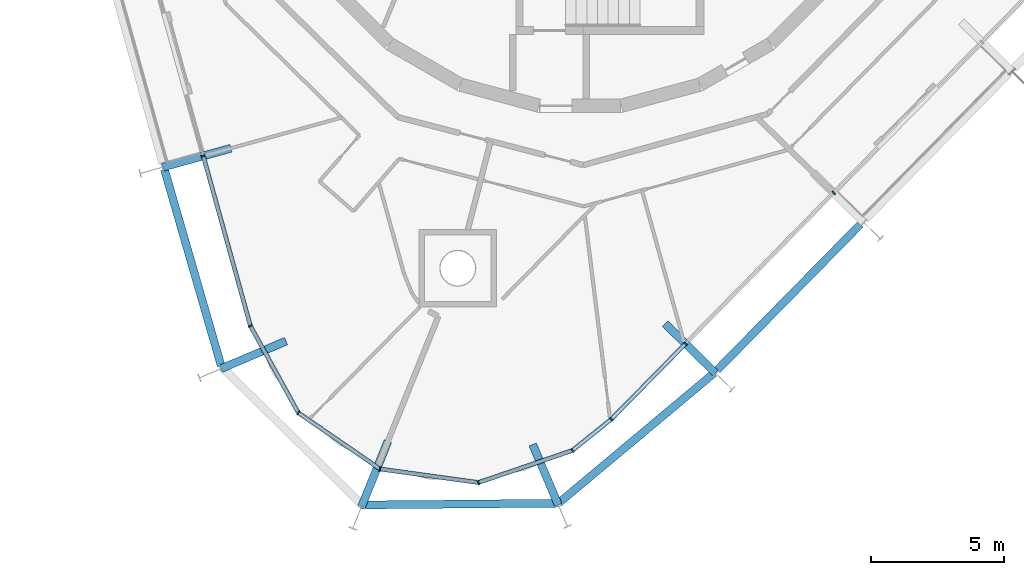
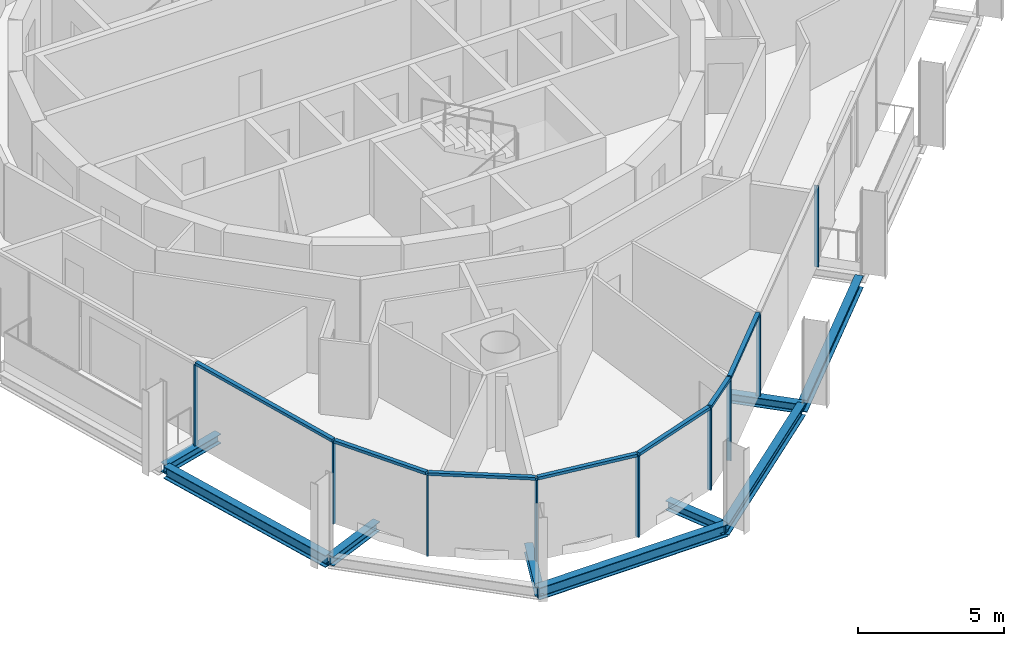
# One storey, part 2 of 15: 16 members, 9 beams, 2 elements without a shape of their own.
"""IFC4 building model written with IfcOpenShell, lengths in metres."""

import ifcopenshell
import ifcopenshell.guid

model = None  # the IFC model being written
_history = None  # IfcOwnerHistory: only IFC2X3 demands one
_inside = {}  # id of a spatial element -> (the spatial element, [elements in it])
_under = {}  # id of a project, library or spatial element -> (it, [spatial elements below it])
_declared = {}  # id of a project -> (the project, [libraries it declares])
_typed = {}  # id of a type object -> (the type object, [elements of that type])
_made_of = {}  # id of a material, layer set ... -> (it, [elements and type objects made of it])


def new_model(schema):
    """Start an empty IFC model of exactly this schema.

    Asked for "IFC4X3", IfcOpenShell would pick the latest addendum, in which some entities
    have other attributes; the version numbers below select the first issue.
    IFC2X3 requires an IfcOwnerHistory on every rooted entity: one is made here for all.
    """
    global model, _history
    if schema == "IFC4X3":
        model = ifcopenshell.file(schema_version=(4, 3, 0, 0))
    else:
        model = ifcopenshell.file(schema=schema)
    _inside.clear()
    _under.clear()
    _declared.clear()
    _typed.clear()
    _made_of.clear()
    _history = None
    if model.schema == "IFC2X3":
        org = make("IfcOrganization", Name="unknown")
        user = make(
            "IfcPersonAndOrganization",
            ThePerson=make("IfcPerson", FamilyName="unknown"),
            TheOrganization=org,
        )
        app = make(
            "IfcApplication",
            ApplicationDeveloper=org,
            Version="unknown",
            ApplicationFullName="unknown",
            ApplicationIdentifier="unknown",
        )
        _history = make(
            "IfcOwnerHistory",
            OwningUser=user,
            OwningApplication=app,
            ChangeAction="ADDED",
            CreationDate=0,
        )
    return model


def make(cls, **values):
    """One entity of the class cls with the attributes given. An attribute that is None is left unset."""
    return model.create_entity(
        cls, **{name: value for name, value in values.items() if value is not None}
    )


def rooted(cls, **values):
    """An entity with a GlobalId (a new one), such as an element, a storey or a relation."""
    return make(cls, GlobalId=ifcopenshell.guid.new(), OwnerHistory=_history, **values)


def si_unit(unit_type, name, prefix=None):
    """IfcSIUnit, for example si_unit("LENGTHUNIT", "METRE", prefix="MILLI")."""
    return make("IfcSIUnit", UnitType=unit_type, Prefix=prefix, Name=name)


def assignment(units):
    """IfcUnitAssignment: the units of a project."""
    return None if units is None else make("IfcUnitAssignment", Units=units)


def point(xyz):
    """IfcCartesianPoint."""
    return None if xyz is None else make("IfcCartesianPoint", Coordinates=xyz)


def direction(xyz):
    """IfcDirection."""
    return None if xyz is None else make("IfcDirection", DirectionRatios=xyz)


def frame(location, z_axis=None, x_axis=None):
    """IfcAxis2Placement3D, a coordinate frame: its origin and axes. An axis left out is left unset."""
    return make(
        "IfcAxis2Placement3D",
        Location=point(location),
        Axis=direction(z_axis),
        RefDirection=direction(x_axis),
    )


def frame_2d(location, x_axis=None):
    """IfcAxis2Placement2D, a coordinate frame in the plane: its origin and x axis."""
    return make(
        "IfcAxis2Placement2D", Location=point(location), RefDirection=direction(x_axis)
    )


def origin():
    """The frame at (0, 0, 0) with its axes left unset."""
    return frame((0.0, 0.0, 0.0))


def origin_2d():
    """The frame at (0, 0) in the plane with its x axis left unset."""
    return frame_2d((0.0, 0.0))


def place(relative_to, where):
    """IfcLocalPlacement: puts the frame where relative to a parent placement (None: the world)."""
    return make(
        "IfcLocalPlacement", PlacementRelTo=relative_to, RelativePlacement=where
    )


def context(
    kind, dimensions, precision=None, world=None, true_north=None, identifier=None
):
    """IfcGeometricRepresentationContext, for example the 3D "Model" context."""
    return make(
        "IfcGeometricRepresentationContext",
        ContextIdentifier=identifier,
        ContextType=kind,
        CoordinateSpaceDimension=dimensions,
        Precision=precision,
        WorldCoordinateSystem=world,
        TrueNorth=true_north,
    )


def subcontext(parent, identifier, kind, view, scale=None):
    """IfcGeometricRepresentationSubContext, for example "Body" below "Model"."""
    return make(
        "IfcGeometricRepresentationSubContext",
        ContextIdentifier=identifier,
        ContextType=kind,
        ParentContext=parent,
        TargetScale=scale,
        TargetView=view,
    )


def project(units=None, contexts=None):
    """IfcProject with its units and contexts."""
    return rooted(
        "IfcProject",
        Name="project",
        RepresentationContexts=contexts,
        UnitsInContext=assignment(units),
    )


def spatial(cls, under=None, at=None, **own):
    """A site, building, storey or space (cls), placed at a placement, below another one or the project."""
    s = rooted(cls, ObjectPlacement=at, **own)
    if under is not None:
        _under.setdefault(under.id(), (under, []))[1].append(s)
    return s


def profile(cls, at=None, kind="AREA", **sizes):
    """A parametric profile (cls). Its sizes go by their IFC names, for example OverallWidth=200.0."""
    return make(cls, ProfileType=kind, Position=at, **sizes)


def rectangle(**sizes):
    """IfcRectangleProfileDef."""
    return profile("IfcRectangleProfileDef", **sizes)


def i_section(**sizes):
    """IfcIShapeProfileDef."""
    return profile("IfcIShapeProfileDef", **sizes)


def extrude(swept, where, along, depth):
    """IfcExtrudedAreaSolid: the profile swept, set in the frame where, extruded along a direction by depth."""
    return make(
        "IfcExtrudedAreaSolid",
        SweptArea=swept,
        Position=where,
        ExtrudedDirection=direction(along),
        Depth=depth,
    )


def shape(context_of_items, identifier, shape_type, items):
    """IfcShapeRepresentation: the items that make up one representation, for example the "Body"."""
    return make(
        "IfcShapeRepresentation",
        ContextOfItems=context_of_items,
        RepresentationIdentifier=identifier,
        RepresentationType=shape_type,
        Items=items,
    )


def material(Name=None, Category=None):
    """IfcMaterial."""
    return make("IfcMaterial", Name=Name, Category=Category)


def layer(
    of_material, thickness, ventilated=None, Name=None, Category=None, Priority=None
):
    """IfcMaterialLayer: one layer of a wall or slab, of a material (None: an air gap)."""
    return make(
        "IfcMaterialLayer",
        Material=of_material,
        LayerThickness=thickness,
        IsVentilated=ventilated,
        Name=Name,
        Category=Category,
        Priority=Priority,
    )


def layer_set(layers, Name=None):
    """IfcMaterialLayerSet."""
    return make("IfcMaterialLayerSet", MaterialLayers=layers, LayerSetName=Name)


def material_profile(
    of_material, cross_section, Name=None, Category=None, Priority=None
):
    """IfcMaterialProfile: a cross section and its material."""
    return make(
        "IfcMaterialProfile",
        Name=Name,
        Material=of_material,
        Profile=cross_section,
        Priority=Priority,
        Category=Category,
    )


def profile_set(profiles, Name=None, composite=None):
    """IfcMaterialProfileSet."""
    return make(
        "IfcMaterialProfileSet",
        Name=Name,
        MaterialProfiles=profiles,
        CompositeProfile=composite,
    )


def made_of(thing, what):
    """Note that an element or type object is made of a material, layer set ...; save() writes the relation."""
    if what is not None:
        _made_of.setdefault(what.id(), (what, []))[1].append(thing)
    return thing


def type_object(cls, material=None, **own):
    """A type object (cls), such as IfcWallType, which elements share."""
    return made_of(rooted(cls, **own), material)


def element(
    cls,
    number,
    at=None,
    inside=None,
    cuts=None,
    type_object=None,
    material=None,
    context=None,
    identifier="Body",
    shape_type=None,
    held_by="IfcProductDefinitionShape",
    body=None,
    shapes=None,
    **own,
):
    """One element of the class cls, such as IfcWall. Its Tag is "e" and its number.

    at: its placement. inside: the storey or other place that contains it. cuts: it is an
    opening in that element (IfcRelVoidsElement). A single representation is given by context,
    identifier, shape_type and body (its items); several are given by shapes. held_by: the class
    of the entity that holds the representations. save() writes the other relations.
    """
    e = rooted(cls, Tag="e%d" % number, ObjectPlacement=at, **own)
    if body is not None:
        shapes = [shape(context, identifier, shape_type, body)]
    if shapes is not None:
        e.Representation = make(held_by, Representations=shapes)
    if inside is not None:
        _inside.setdefault(inside.id(), (inside, []))[1].append(e)
    if cuts is not None:
        rooted(
            "IfcRelVoidsElement", RelatingBuildingElement=cuts, RelatedOpeningElement=e
        )
    if type_object is not None:
        _typed.setdefault(type_object.id(), (type_object, []))[1].append(e)
    return made_of(e, material)


def aggregate(whole, parts):
    """IfcRelAggregates: a whole, such as a stair, and the parts it consists of."""
    return rooted("IfcRelAggregates", RelatingObject=whole, RelatedObjects=parts)


def save(model, path):
    """Write the relations noted so far, then the file.

    IfcRelAggregates (storeys below a building ...), IfcRelContainedInSpatialStructure (elements
    in a storey), IfcRelDefinesByType, IfcRelAssociatesMaterial and IfcRelDeclares: one each for
    every whole, place, type object, material and project.
    """
    for whole, parts in _under.values():
        aggregate(whole, parts)
    for where, things in _inside.values():
        rooted(
            "IfcRelContainedInSpatialStructure",
            RelatedElements=things,
            RelatingStructure=where,
        )
    for kind, things in _typed.values():
        rooted("IfcRelDefinesByType", RelatedObjects=things, RelatingType=kind)
    for what, things in _made_of.values():
        rooted("IfcRelAssociatesMaterial", RelatedObjects=things, RelatingMaterial=what)
    for by, libraries in _declared.values():
        rooted("IfcRelDeclares", RelatingContext=by, RelatedDefinitions=libraries)
    model.write(path)


model = new_model("IFC4")

# Units and contexts
model_context = context("Model", 3, precision=1e-05, world=origin(), true_north=direction((0.0, 1.0)))
body_context = subcontext(model_context, "Body", "Model", "MODEL_VIEW")
ifc_project = project(units=[si_unit("LENGTHUNIT", "METRE"), si_unit("AREAUNIT", "SQUARE_METRE"), si_unit("VOLUMEUNIT", "CUBIC_METRE"), si_unit("PLANEANGLEUNIT", "RADIAN"), si_unit("MASSUNIT", "GRAM", prefix="KILO")], contexts=[model_context])

# Site, building, storey
site_placement = place(None, origin())
site = spatial("IfcSite", under=ifc_project, at=site_placement, CompositionType="ELEMENT")
building_placement = place(site_placement, origin())
building = spatial("IfcBuilding", under=site, at=building_placement, Name="Spindle Arch Residences", CompositionType="ELEMENT")
storey_placement = place(building_placement, frame((0.0, 0.0, 308.699951171875)))
storey = spatial("IfcBuildingStorey", under=building, at=storey_placement, Name="L79", CompositionType="ELEMENT", Elevation=308.699951171875)

# Curtain wall, members
ifc_material_1 = material(Name="Aluminium bronze unitised frame with tinted glass", Category="aluminium")
ifc_layer_1 = layer(ifc_material_1, 0.159912109375)
ifc_layer_set_1 = layer_set([ifc_layer_1], Name="CW-D corner wall on the fillet arcs")
curtain_wall_type_1 = type_object("IfcCurtainWallType", Name="CW-D corner wall on the fillet arcs", PredefinedType="NOTDEFINED", material=ifc_layer_set_1)
curtain_wall_1_placement = place(storey_placement, origin())
curtain_wall_1 = element("IfcCurtainWall", 1, at=curtain_wall_1_placement, inside=storey, type_object=curtain_wall_type_1, Name="CW-D L79 run 5", PredefinedType="NOTDEFINED")
ifc_material_2 = material(Name="Aluminium bronze anodised mullion", Category="aluminium")
ifc_material_profile_1 = material_profile(ifc_material_2, rectangle(XDim=0.159912109375, YDim=0.06005859375, at=origin_2d()), Name="MU 60x160")
ifc_profile_set_1 = profile_set([ifc_material_profile_1], Name="Aluminium bronze anodised mullion")
member_type_1 = type_object("IfcMemberType", Name="Bronze mullion 60x160", PredefinedType="MULLION", material=ifc_profile_set_1)
member_1_placement = place(storey_placement, frame((-14.1435546875, -13.529296875, -0.3798828125), z_axis=(0.0, 0.0, 1.0), x_axis=(0.963630453209, 0.267238376078, 0.0)))
member_1 = element("IfcMember", 2, at=member_1_placement, type_object=member_type_1, Name="CW-D mullion 00", PredefinedType="MULLION", context=body_context, shape_type="SweptSolid", body=[
    extrude(rectangle(XDim=0.159912109375, YDim=0.06005859375, at=origin_2d()), origin(), (0.0, 0.0, 1.0), 3.3798828125),
])
member_2_placement = place(storey_placement, frame((-12.37548828125, -19.90478515625, -0.3798828125), z_axis=(0.0, 0.0, 1.0), x_axis=(0.876026260142, 0.482263404731, 0.0)))
member_2 = element("IfcMember", 3, at=member_2_placement, type_object=member_type_1, Name="CW-D mullion 01", PredefinedType="MULLION", context=body_context, shape_type="SweptSolid", body=[
    extrude(rectangle(XDim=0.159912109375, YDim=0.06005859375, at=origin_2d()), origin(), (0.0, 0.0, 1.0), 3.3798828125),
])
member_3_placement = place(storey_placement, frame((-10.578125, -23.16943359375, -0.3798828125), z_axis=(0.0, 0.0, 1.0), x_axis=(0.566406236997, 0.824126188573, 0.0)))
member_3 = element("IfcMember", 4, at=member_3_placement, type_object=member_type_1, Name="CW-D mullion 02", PredefinedType="MULLION", context=body_context, shape_type="SweptSolid", body=[
    extrude(rectangle(XDim=0.159912109375, YDim=0.06005859375, at=origin_2d()), origin(), (0.0, 0.0, 1.0), 3.3798828125),
])
member_4_placement = place(storey_placement, frame((-7.5068359375, -25.2802734375, -0.3798828125), z_axis=(0.0, 0.0, 1.0), x_axis=(0.136291936259, 0.99066871764, 0.0)))
member_4 = element("IfcMember", 5, at=member_4_placement, type_object=member_type_1, Name="CW-D mullion 03", PredefinedType="MULLION", context=body_context, shape_type="SweptSolid", body=[
    extrude(rectangle(XDim=0.159912109375, YDim=0.06005859375, at=origin_2d()), origin(), (0.0, 0.0, 1.0), 3.3798828125),
])
member_5_placement = place(storey_placement, frame((-3.81494140625, -25.788330078125, -0.3798828125), z_axis=(0.0, 0.0, 1.0), x_axis=(-0.322816381002, 0.946461612616, 0.0)))
member_5 = element("IfcMember", 6, at=member_5_placement, type_object=member_type_1, Name="CW-D mullion 04", PredefinedType="MULLION", context=body_context, shape_type="SweptSolid", body=[
    extrude(rectangle(XDim=0.159912109375, YDim=0.06005859375, at=origin_2d()), origin(), (0.0, 0.0, 1.0), 3.3798828125),
])
member_6_placement = place(storey_placement, frame((-0.28759765625, -24.585205078125, -0.3798828125), z_axis=(0.0, 0.0, 1.0), x_axis=(-0.627057102153, 0.778973292636, 0.0)))
member_6 = element("IfcMember", 7, at=member_6_placement, type_object=member_type_1, Name="CW-D mullion 05", PredefinedType="MULLION", context=body_context, shape_type="SweptSolid", body=[
    extrude(rectangle(XDim=0.159912109375, YDim=0.06005859375, at=origin_2d()), origin(), (0.0, 0.0, 1.0), 3.3798828125),
])
member_7_placement = place(storey_placement, frame((1.173828125, -23.40869140625, -0.3798828125), z_axis=(0.0, 0.0, 1.0), x_axis=(-0.713250449154, 0.7009092643, 0.0)))
member_7 = element("IfcMember", 8, at=member_7_placement, type_object=member_type_1, Name="CW-D mullion 06", PredefinedType="MULLION", context=body_context, shape_type="SweptSolid", body=[
    extrude(rectangle(XDim=0.159912109375, YDim=0.06005859375, at=origin_2d()), origin(), (0.0, 0.0, 1.0), 3.3798828125),
])

ifc_material_3 = material(Name="Aluminium bronze unitised frame with tinted glass", Category="aluminium")
ifc_layer_2 = layer(ifc_material_3, 0.159912109375)
ifc_layer_set_2 = layer_set([ifc_layer_2], Name="CW-C typical residential unitised wall")
curtain_wall_type_2 = type_object("IfcCurtainWallType", Name="CW-C typical residential unitised wall", PredefinedType="NOTDEFINED", material=ifc_layer_set_2)
curtain_wall_2_placement = place(storey_placement, origin())
curtain_wall_2 = element("IfcCurtainWall", 9, at=curtain_wall_2_placement, inside=storey, type_object=curtain_wall_type_2, Name="CW-C L79 run 6", PredefinedType="NOTDEFINED")
member_8_placement = place(storey_placement, frame((3.95703125, -20.576416015625, -0.3798828125), z_axis=(0.0, 0.0, 1.0), x_axis=(-0.713250449154, 0.7009092643, 0.0)))
member_8 = element("IfcMember", 10, at=member_8_placement, type_object=member_type_1, Name="CW-C mullion 18", PredefinedType="MULLION", context=body_context, shape_type="SweptSolid", body=[
    extrude(rectangle(XDim=0.159912109375, YDim=0.06005859375, at=origin_2d()), origin(), (0.0, 0.0, 1.0), 3.3798828125),
])
member_9_placement = place(storey_placement, frame((9.518798828125, -14.916748046875, -0.3798828125), z_axis=(0.0, 0.0, 1.0), x_axis=(-0.713250449154, 0.7009092643, 0.0)))
member_9 = element("IfcMember", 11, at=member_9_placement, type_object=member_type_1, Name="CW-C mullion 19", PredefinedType="MULLION", context=body_context, shape_type="SweptSolid", body=[
    extrude(rectangle(XDim=0.159912109375, YDim=0.06005859375, at=origin_2d()), origin(), (0.0, 0.0, 1.0), 3.3798828125),
])
aggregate(curtain_wall_2, [member_8, member_9])

# Member
ifc_material_4 = material(Name="Aluminium bronze anodised transom", Category="aluminium")
ifc_material_profile_2 = material_profile(ifc_material_4, rectangle(XDim=0.159912109375, YDim=0.1201171875, at=origin_2d()), Name="TR 120x160")
ifc_profile_set_2 = profile_set([ifc_material_profile_2], Name="Aluminium bronze anodised transom")
member_type_2 = type_object("IfcMemberType", Name="Bronze transom 120x160", PredefinedType="USERDEFINED", material=ifc_profile_set_2)
member_10_placement = place(storey_placement, frame((-14.135498046875, -13.558349609375, 3.06005859375), z_axis=(0.267236650425, -0.963630931773, 0.0), x_axis=(0.963630931773, 0.267236650425, 0.0)))
member_10 = element("IfcMember", 12, at=member_10_placement, type_object=member_type_2, Name="CW-D transom 00", ObjectType="TRANSOM", PredefinedType="USERDEFINED", context=body_context, shape_type="SweptSolid", body=[
    extrude(rectangle(XDim=0.159912109375, YDim=0.1201171875, at=origin_2d()), origin(), (0.0, 0.0, 1.0), 6.555908203125),
])

member_11_placement = place(storey_placement, frame((-12.36083984375, -19.930908203125, 3.06005859375), z_axis=(0.482258656, -0.87602887436, 0.0), x_axis=(0.87602887436, 0.482258656, 0.0)))
member_11 = element("IfcMember", 13, at=member_11_placement, type_object=member_type_2, Name="CW-D transom 01", ObjectType="TRANSOM", PredefinedType="USERDEFINED", context=body_context, shape_type="SweptSolid", body=[
    extrude(rectangle(XDim=0.159912109375, YDim=0.1201171875, at=origin_2d()), origin(), (0.0, 0.0, 1.0), 3.666748046875),
])

member_12_placement = place(storey_placement, frame((-10.553466796875, -23.1865234375, 3.06005859375), z_axis=(0.824162355163, -0.566353610682, 0.0), x_axis=(0.566353610682, 0.824162355163, 0.0)))
member_12 = element("IfcMember", 14, at=member_12_placement, type_object=member_type_2, Name="CW-D transom 02", ObjectType="TRANSOM", PredefinedType="USERDEFINED", context=body_context, shape_type="SweptSolid", body=[
    extrude(rectangle(XDim=0.159912109375, YDim=0.1201171875, at=origin_2d()), origin(), (0.0, 0.0, 1.0), 3.666748046875),
])

member_13_placement = place(storey_placement, frame((-7.47705078125, -25.284423828125, 3.06005859375), z_axis=(0.9906686165, -0.136292671414, 0.0), x_axis=(0.136292671414, 0.9906686165, 0.0)))
member_13 = element("IfcMember", 15, at=member_13_placement, type_object=member_type_2, Name="CW-D transom 03", ObjectType="TRANSOM", PredefinedType="USERDEFINED", context=body_context, shape_type="SweptSolid", body=[
    extrude(rectangle(XDim=0.159912109375, YDim=0.1201171875, at=origin_2d()), origin(), (0.0, 0.0, 1.0), 3.666748046875),
])

member_14_placement = place(storey_placement, frame((-3.786376953125, -25.778564453125, 3.06005859375), z_axis=(0.946449629286, 0.322851512656, 0.0), x_axis=(-0.322851512656, 0.946449629286, 0.0)))
member_14 = element("IfcMember", 16, at=member_14_placement, type_object=member_type_2, Name="CW-D transom 04", ObjectType="TRANSOM", PredefinedType="USERDEFINED", context=body_context, shape_type="SweptSolid", body=[
    extrude(rectangle(XDim=0.159912109375, YDim=0.1201171875, at=origin_2d()), origin(), (0.0, 0.0, 1.0), 3.666748046875),
])

member_15_placement = place(storey_placement, frame((-0.26416015625, -24.56640625, 3.06005859375), z_axis=(0.778910776855, 0.627134755614, 0.0), x_axis=(-0.627134755614, 0.778910776855, 0.0)))
member_15 = element("IfcMember", 17, at=member_15_placement, type_object=member_type_2, Name="CW-D transom 05", ObjectType="TRANSOM", PredefinedType="USERDEFINED", context=body_context, shape_type="SweptSolid", body=[
    extrude(rectangle(XDim=0.159912109375, YDim=0.1201171875, at=origin_2d()), origin(), (0.0, 0.0, 1.0), 1.816162109375),
])

member_16_placement = place(storey_placement, frame((1.19482421875, -23.387451171875, 3.06005859375), z_axis=(0.70089977121, 0.713259777863, 0.0), x_axis=(-0.713259777863, 0.70089977121, 0.0)))
member_16 = element("IfcMember", 18, at=member_16_placement, type_object=member_type_2, Name="CW-D transom 06", ObjectType="TRANSOM", PredefinedType="USERDEFINED", context=body_context, shape_type="SweptSolid", body=[
    extrude(rectangle(XDim=0.159912109375, YDim=0.1201171875, at=origin_2d()), origin(), (0.0, 0.0, 1.0), 3.910888671875),
])

aggregate(curtain_wall_1, [member_1, member_10, member_2, member_11, member_3, member_12, member_4, member_13, member_5, member_14, member_6, member_15, member_7, member_16])

# Beams
ifc_material_5 = material(Name="Steel S460ML, intumescent coating R 120", Category="steel")
ifc_material_profile_3 = material_profile(ifc_material_5, i_section(OverallWidth=0.300048828125, OverallDepth=0.5, WebThickness=0.014404296875, FlangeThickness=0.028076171875, FilletRadius=0.027099609375, at=origin_2d()), Name="HEB 500")
ifc_profile_set_3 = profile_set([ifc_material_profile_3], Name="Steel S460ML, intumescent coating R 120")
beam_type_1 = type_object("IfcBeamType", Name="Exoskeleton edge beam HEB 500", PredefinedType="BEAM", material=ifc_profile_set_3)
beam_1_placement = place(storey_placement, frame((-15.6005859375, -14.035888671875, -0.6298828125), z_axis=(0.277657791247, -0.960680046092, 0.0), x_axis=(0.960680046092, 0.277657791247, 0.0)))
element("IfcBeam", 19, at=beam_1_placement, inside=storey, type_object=beam_type_1, Name="Exoskeleton edge beam 15", PredefinedType="BEAM", context=body_context, shape_type="SweptSolid", body=[
    extrude(i_section(OverallWidth=0.300048828125, OverallDepth=0.5, WebThickness=0.014404296875, FlangeThickness=0.028076171875, FilletRadius=0.027099609375, at=origin_2d()), origin(), (0.0, 0.0, 1.0), 7.671875),
])
beam_2_placement = place(storey_placement, frame((-8.247314453125, -26.628662109375, -0.6298828125), z_axis=(0.999961377867, 0.00878878686, 0.0), x_axis=(-0.00878878686, 0.999961377867, 0.0)))
element("IfcBeam", 20, at=beam_2_placement, inside=storey, type_object=beam_type_1, Name="Exoskeleton edge beam 17", PredefinedType="BEAM", context=body_context, shape_type="SweptSolid", body=[
    extrude(i_section(OverallWidth=0.300048828125, OverallDepth=0.5, WebThickness=0.014404296875, FlangeThickness=0.028076171875, FilletRadius=0.027099609375, at=origin_2d()), origin(), (0.0, 0.0, 1.0), 7.472412109375),
])
beam_3_placement = place(storey_placement, frame((-0.811279296875, -26.5615234375, -0.6298828125), z_axis=(0.767144884688, 0.641473870003, 0.0), x_axis=(-0.641473870003, 0.767144884688, 0.0)))
element("IfcBeam", 21, at=beam_3_placement, inside=storey, type_object=beam_type_1, Name="Exoskeleton edge beam 18", PredefinedType="BEAM", context=body_context, shape_type="SweptSolid", body=[
    extrude(i_section(OverallWidth=0.300048828125, OverallDepth=0.5, WebThickness=0.014404296875, FlangeThickness=0.028076171875, FilletRadius=0.027099609375, at=origin_2d()), origin(), (0.0, 0.0, 1.0), 7.611572265625),
])
beam_4_placement = place(storey_placement, frame((5.146484375, -21.56298828125, -0.6298828125), z_axis=(0.700924831043, 0.713235151425, 0.0), x_axis=(-0.713235151425, 0.700924831043, 0.0)))
element("IfcBeam", 22, at=beam_4_placement, inside=storey, type_object=beam_type_1, Name="Exoskeleton edge beam 19", PredefinedType="BEAM", context=body_context, shape_type="SweptSolid", body=[
    extrude(i_section(OverallWidth=0.300048828125, OverallDepth=0.5, WebThickness=0.014404296875, FlangeThickness=0.028076171875, FilletRadius=0.027099609375, at=origin_2d()), origin(), (0.0, 0.0, 1.0), 7.675048828125),
])
ifc_material_6 = material(Name="Steel S460ML, intumescent coating R 120", Category="steel")
ifc_material_profile_4 = material_profile(ifc_material_6, i_section(OverallWidth=0.300048828125, OverallDepth=0.389892578125, WebThickness=0.010986328125, FlangeThickness=0.01904296875, FilletRadius=0.027099609375, at=origin_2d()), Name="HEA 400")
ifc_profile_set_4 = profile_set([ifc_material_profile_4], Name="Steel S460ML, intumescent coating R 120")
beam_type_2 = type_object("IfcBeamType", Name="Floor outrigger HEA 400", PredefinedType="BEAM", material=ifc_profile_set_4)
beam_5_placement = place(storey_placement, frame((-15.656494140625, -13.948974609375, -0.574951171875), z_axis=(0.963626057771, 0.267254225009, 0.0), x_axis=(-0.267254225009, 0.963626057771, 0.0)))
element("IfcBeam", 23, at=beam_5_placement, inside=storey, type_object=beam_type_2, Name="Floor outrigger 15", PredefinedType="BEAM", context=body_context, shape_type="SweptSolid", body=[
    extrude(i_section(OverallWidth=0.300048828125, OverallDepth=0.389892578125, WebThickness=0.010986328125, FlangeThickness=0.01904296875, FilletRadius=0.027099609375, at=origin_2d()), origin(), (0.0, 0.0, 1.0), 2.650146484375),
])
for number, where, z_axis, x_axis, name in (
    (24, (-13.47314453125, -21.51318359375, -0.574951171875), (0.920615907856, 0.390469397267, 0.0), (-0.390469397267, 0.920615907856, 0.0), "Floor outrigger 16"),
    (25, (-8.20458984375, -26.692626953125, -0.574951171875), (0.374597094323, 0.927187692393, 0.0), (-0.927187692393, 0.374597094323, 0.0), "Floor outrigger 17"),
):
    element("IfcBeam", number, at=place(storey_placement, frame(where, z_axis=z_axis, x_axis=x_axis)), inside=storey, type_object=beam_type_2, Name=name, PredefinedType="BEAM", context=body_context, shape_type="SweptSolid", body=[
        extrude(i_section(OverallWidth=0.300048828125, OverallDepth=0.389892578125, WebThickness=0.010986328125, FlangeThickness=0.01904296875, FilletRadius=0.027099609375, at=origin_2d()), origin(), (0.0, 0.0, 1.0), 2.64990234375),
    ])
beam_6_placement = place(storey_placement, frame((-0.81689453125, -26.62744140625, -0.574951171875), z_axis=(-0.39089545077, 0.920435085472, 0.0), x_axis=(-0.920435085472, -0.39089545077, 0.0)))
element("IfcBeam", 26, at=beam_6_placement, inside=storey, type_object=beam_type_2, Name="Floor outrigger 18", PredefinedType="BEAM", context=body_context, shape_type="SweptSolid", body=[
    extrude(i_section(OverallWidth=0.300048828125, OverallDepth=0.389892578125, WebThickness=0.010986328125, FlangeThickness=0.01904296875, FilletRadius=0.027099609375, at=origin_2d()), origin(), (0.0, 0.0, 1.0), 2.467041015625),
])
beam_7_placement = place(storey_placement, frame((5.076904296875, -21.677001953125, -0.574951171875), z_axis=(-0.713252393258, 0.70090728596, 0.0), x_axis=(-0.70090728596, -0.713252393258, 0.0)))
element("IfcBeam", 27, at=beam_7_placement, inside=storey, type_object=beam_type_2, Name="Floor outrigger 19", PredefinedType="BEAM", context=body_context, shape_type="SweptSolid", body=[
    extrude(i_section(OverallWidth=0.300048828125, OverallDepth=0.389892578125, WebThickness=0.010986328125, FlangeThickness=0.01904296875, FilletRadius=0.027099609375, at=origin_2d()), origin(), (0.0, 0.0, 1.0), 2.650146484375),
])

save(model, "model.ifc")
